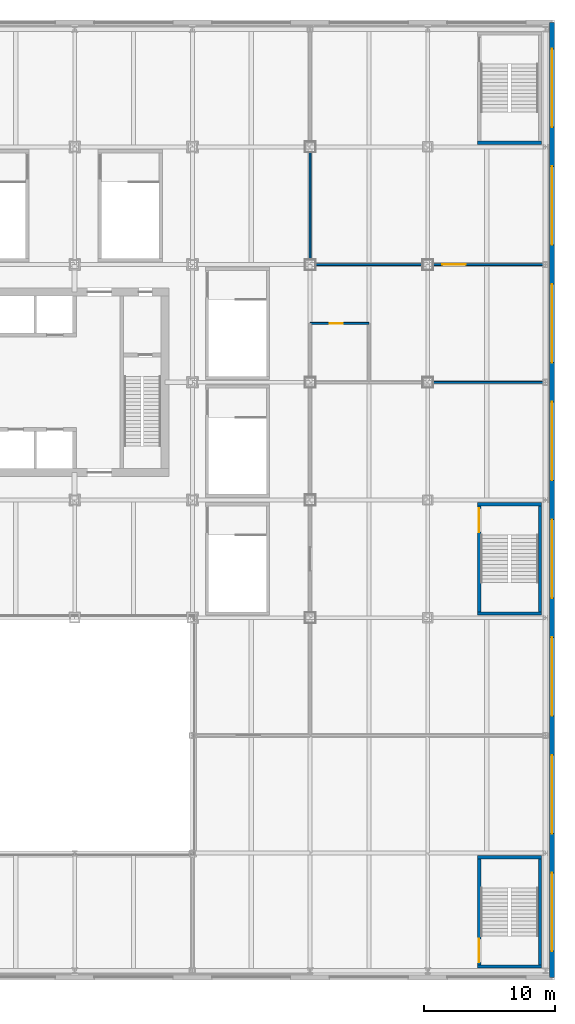
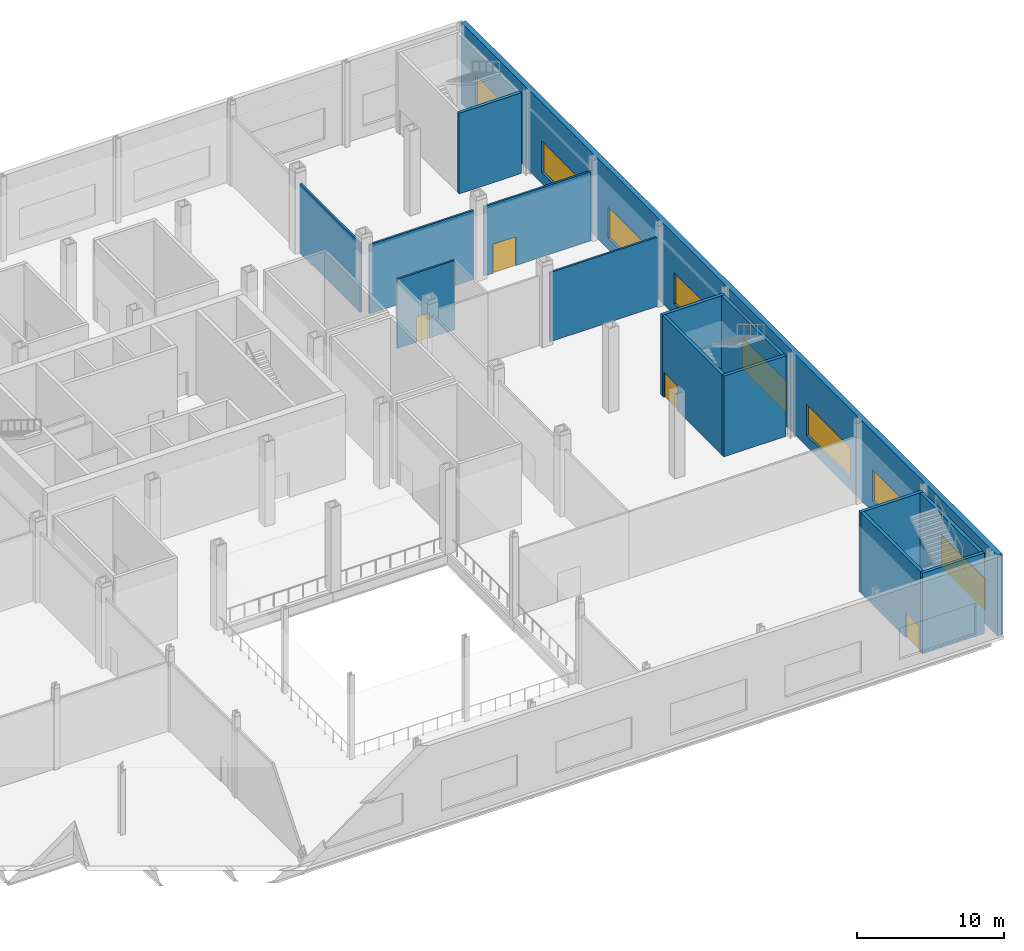
# One storey, part 14 of 32: 15 walls, 8 windows, 4 doors, 12 openings.
"""IFC4 building model written with IfcOpenShell, lengths in metres."""

from ifc_helpers import new_model, si_unit, direction, frame, frame_2d, origin, place, context, subcontext, project, spatial, rectangle, extrude, material, layer, layer_set, type_object, element, fill, save


model = new_model("IFC4")

# Units and contexts
model_context = context("Model", 3, precision=1e-05, world=origin(), true_north=direction((0.0, 1.0)))
body_context = subcontext(model_context, "Body", "Model", "MODEL_VIEW")
ifc_project = project(units=[si_unit("LENGTHUNIT", "METRE"), si_unit("AREAUNIT", "SQUARE_METRE"), si_unit("VOLUMEUNIT", "CUBIC_METRE"), si_unit("PLANEANGLEUNIT", "RADIAN"), si_unit("MASSUNIT", "GRAM", prefix="KILO")], contexts=[model_context])

# Site, building, storey
site_placement = place(None, origin())
site = spatial("IfcSite", under=ifc_project, at=site_placement, CompositionType="ELEMENT")
building_placement = place(site_placement, origin())
building = spatial("IfcBuilding", under=site, at=building_placement, Name="Loomwork Tower", CompositionType="ELEMENT")
storey_placement = place(building_placement, frame((0.0, 0.0, 16.0)))
storey = spatial("IfcBuildingStorey", under=building, at=storey_placement, Name="L03", CompositionType="ELEMENT", Elevation=16.0)

# Wall, opening, door
ifc_material_1 = material(Name="Gypsum board on steel studs, one-hour", Category="steel")
ifc_layer_1 = layer(ifc_material_1, 0.14990234375)
ifc_layer_set_1 = layer_set([ifc_layer_1], Name="Partition 150")
wall_type_1 = type_object("IfcWallType", Name="Partition 150", PredefinedType="PARTITIONING", material=ifc_layer_set_1)
wall_1_placement = place(storey_placement, frame((45.0, 22.5, 0.0), z_axis=(0.0, 0.0, 1.0), x_axis=(1.0, 0.0, 0.0)))
wall_1 = element("IfcWall", 1, at=wall_1_placement, inside=storey, type_object=wall_type_1, Name="Partition L03 18.1", PredefinedType="PARTITIONING", context=body_context, shape_type="SweptSolid", body=[
    extrude(rectangle(XDim=4.5, YDim=0.14990234375, at=frame_2d((2.25, 0.0))), origin(), (0.0, 0.0, 1.0), 5.751953125),
])
opening_1_placement = place(wall_1_placement, frame((1.5, 0.0, 0.0)))
opening_1 = element("IfcOpeningElement", 2, at=opening_1_placement, cuts=wall_1, Name="Opening D8", PredefinedType="OPENING", context=body_context, shape_type="SweptSolid", body=[
    extrude(rectangle(XDim=1.0, YDim=2.10009765625, at=frame_2d((0.5, 1.050048828125))), frame((0.0, 0.0849609375, 0.0), z_axis=(0.0, -1.0, 0.0), x_axis=(1.0, 0.0, 0.0)), (0.0, 0.0, 1.0), 0.169921875),
])
ifc_material_2 = material(Name="Hollow metal door and frame")
door_type_1 = type_object("IfcDoorType", Name="WC door 1000", OperationType="SINGLE_SWING_LEFT", PredefinedType="DOOR", material=ifc_material_2)
door_1_placement = place(opening_1_placement, frame((1.0, 0.0, 0.0), z_axis=(0.0, 0.0, 1.0), x_axis=(-1.0, 0.0, 0.0)))
door_1 = element("IfcDoor", 3, at=door_1_placement, inside=storey, type_object=door_type_1, Name="Accessible WC door", OperationType="SINGLE_SWING_RIGHT", OverallHeight=2.10009765625, OverallWidth=1.0, PredefinedType="DOOR", context=body_context, shape_type="SweptSolid", body=[
    extrude(rectangle(XDim=1.0, YDim=2.10009765625, at=frame_2d((0.5, 1.050048828125))), frame((0.0, 0.02490234375, 0.0), z_axis=(0.0, -1.0, 0.0), x_axis=(1.0, 0.0, 0.0)), (0.0, 0.0, 1.0), 0.050048828125),
])
fill(opening_1, door_1)

wall_2_placement = place(storey_placement, frame((62.81201171875, 27.0, 0.0), z_axis=(0.0, 0.0, 1.0), x_axis=(-1.0, 0.0, 0.0)))
wall_2 = element("IfcWall", 4, at=wall_2_placement, inside=storey, type_object=wall_type_1, Name="Partition L03 19.1", PredefinedType="PARTITIONING", context=body_context, shape_type="SweptSolid", body=[
    extrude(rectangle(XDim=8.412109375, YDim=0.14990234375, at=frame_2d((4.2060546875, 0.0))), origin(), (0.0, 0.0, 1.0), 5.752685546875),
])
opening_2_placement = place(wall_2_placement, frame((5.912109375, 0.0, 0.0)))
opening_2 = element("IfcOpeningElement", 5, at=opening_2_placement, cuts=wall_2, Name="Opening D16", PredefinedType="OPENING", context=body_context, shape_type="SweptSolid", body=[
    extrude(rectangle(XDim=1.800048828125, YDim=2.39990234375, at=frame_2d((0.89990234375, 1.199951171875))), frame((0.0, 0.0849609375, 0.0), z_axis=(0.0, -1.0, 0.0), x_axis=(1.0, 0.0, 0.0)), (0.0, 0.0, 1.0), 0.169921875),
])
ifc_material_3 = material(Name="Hollow metal door and frame")
door_type_2 = type_object("IfcDoorType", Name="Fire-rated double door 1800", OperationType="DOUBLE_DOOR_SINGLE_SWING", PredefinedType="DOOR", material=ifc_material_3)
door_2_placement = place(opening_2_placement, frame((1.800048828125, 0.0, 0.0), z_axis=(0.0, 0.0, 1.0), x_axis=(-1.0, 0.0, 0.0)))
door_2 = element("IfcDoor", 6, at=door_2_placement, inside=storey, type_object=door_type_2, Name="Kitchen plant room door", OperationType="DOUBLE_DOOR_SINGLE_SWING", OverallHeight=2.39990234375, OverallWidth=1.800048828125, PredefinedType="DOOR", context=body_context, shape_type="SweptSolid", body=[
    extrude(rectangle(XDim=1.800048828125, YDim=2.39990234375, at=frame_2d((0.89990234375, 1.199951171875))), frame((0.0, 0.02490234375, 0.0), z_axis=(0.0, -1.0, 0.0), x_axis=(1.0, 0.0, 0.0)), (0.0, 0.0, 1.0), 0.050048828125),
])
fill(opening_2, door_2)

# Walls
for number, where, z_axis, x_axis, name in (
    (7, (53.60009765625, 27.0, 0.0), (0.0, 0.0, 1.0), (-1.0, 0.0, 0.0), "Partition L03 19.2"),
    (8, (45.0, 27.39990234375, 0.0), (0.0, 0.0, 1.0), (0.0, 1.0, 0.0), "Partition L03 20.1"),
):
    element("IfcWall", number, at=place(storey_placement, frame(where, z_axis=z_axis, x_axis=x_axis)), inside=storey, type_object=wall_type_1, Name=name, PredefinedType="PARTITIONING", context=body_context, shape_type="SweptSolid", body=[
        extrude(rectangle(XDim=8.2001953125, YDim=0.14990234375, at=frame_2d((4.10009765625, 0.0))), origin(), (0.0, 0.0, 1.0), 5.752685546875),
    ])
wall_3_placement = place(storey_placement, frame((54.39990234375, 18.0, 0.0), z_axis=(0.0, 0.0, 1.0), x_axis=(1.0, 0.0, 0.0)))
element("IfcWall", 9, at=wall_3_placement, inside=storey, type_object=wall_type_1, Name="Partition L03 22.2", PredefinedType="PARTITIONING", context=body_context, shape_type="SweptSolid", body=[
    extrude(rectangle(XDim=8.412109375, YDim=0.14990234375, at=frame_2d((4.2060546875, 0.0))), origin(), (0.0, 0.0, 1.0), 5.752685546875),
])

# Wall, openings, windows
ifc_material_4 = material(Name="Limestone on concrete masonry", Category="masonry")
ifc_layer_2 = layer(ifc_material_4, 0.39990234375)
ifc_layer_set_2 = layer_set([ifc_layer_2], Name="Podium limestone wall 400")
wall_type_2 = type_object("IfcWallType", Name="Podium limestone wall 400", PredefinedType="SOLIDWALL", material=ifc_layer_set_2)
wall_4_placement = place(storey_placement, frame((63.5, -27.5, 0.0), z_axis=(0.0, 0.0, 1.0), x_axis=(0.0, 1.0, 0.0)))
wall_4 = element("IfcWall", 10, at=wall_4_placement, inside=storey, type_object=wall_type_2, Name="Podium stone wall E", PredefinedType="SOLIDWALL", context=body_context, shape_type="SweptSolid", body=[
    extrude(rectangle(XDim=73.0, YDim=0.39990234375, at=frame_2d((36.5, 0.0))), origin(), (0.0, 0.0, 1.0), 6.699951171875),
])
opening_3_placement = place(wall_4_placement, frame((2.0, 0.0, 0.89990234375)))
opening_3 = element("IfcOpeningElement", 11, at=opening_3_placement, cuts=wall_4, Name="Opening CH3", PredefinedType="OPENING", context=body_context, shape_type="SweptSolid", body=[
    extrude(rectangle(XDim=6.0, YDim=2.60009765625, at=frame_2d((3.0, 1.300048828125))), frame((0.0, 0.2099609375, 0.0), z_axis=(0.0, -1.0, 0.0), x_axis=(1.0, 0.0, 0.0)), (0.0, 0.0, 1.0), 0.419921875),
])
opening_4_placement = place(wall_4_placement, frame((11.0, 0.0, 0.89990234375)))
opening_4 = element("IfcOpeningElement", 12, at=opening_4_placement, cuts=wall_4, Name="Opening CH3", PredefinedType="OPENING", context=body_context, shape_type="SweptSolid", body=[
    extrude(rectangle(XDim=6.0, YDim=2.60009765625, at=frame_2d((3.0, 1.300048828125))), frame((0.0, 0.2099609375, 0.0), z_axis=(0.0, -1.0, 0.0), x_axis=(1.0, 0.0, 0.0)), (0.0, 0.0, 1.0), 0.419921875),
])
opening_5_placement = place(wall_4_placement, frame((20.0, 0.0, 0.89990234375)))
opening_5 = element("IfcOpeningElement", 13, at=opening_5_placement, cuts=wall_4, Name="Opening CH3", PredefinedType="OPENING", context=body_context, shape_type="SweptSolid", body=[
    extrude(rectangle(XDim=6.0, YDim=2.60009765625, at=frame_2d((3.0, 1.300048828125))), frame((0.0, 0.2099609375, 0.0), z_axis=(0.0, -1.0, 0.0), x_axis=(1.0, 0.0, 0.0)), (0.0, 0.0, 1.0), 0.419921875),
])
opening_6_placement = place(wall_4_placement, frame((29.0, 0.0, 0.89990234375)))
opening_6 = element("IfcOpeningElement", 14, at=opening_6_placement, cuts=wall_4, Name="Opening CH3", PredefinedType="OPENING", context=body_context, shape_type="SweptSolid", body=[
    extrude(rectangle(XDim=6.0, YDim=2.60009765625, at=frame_2d((3.0, 1.300048828125))), frame((0.0, 0.2099609375, 0.0), z_axis=(0.0, -1.0, 0.0), x_axis=(1.0, 0.0, 0.0)), (0.0, 0.0, 1.0), 0.419921875),
])
opening_7_placement = place(wall_4_placement, frame((38.0, 0.0, 0.89990234375)))
opening_7 = element("IfcOpeningElement", 15, at=opening_7_placement, cuts=wall_4, Name="Opening CH3", PredefinedType="OPENING", context=body_context, shape_type="SweptSolid", body=[
    extrude(rectangle(XDim=6.0, YDim=2.60009765625, at=frame_2d((3.0, 1.300048828125))), frame((0.0, 0.2099609375, 0.0), z_axis=(0.0, -1.0, 0.0), x_axis=(1.0, 0.0, 0.0)), (0.0, 0.0, 1.0), 0.419921875),
])
opening_8_placement = place(wall_4_placement, frame((47.0, 0.0, 0.89990234375)))
opening_8 = element("IfcOpeningElement", 16, at=opening_8_placement, cuts=wall_4, Name="Opening CH3", PredefinedType="OPENING", context=body_context, shape_type="SweptSolid", body=[
    extrude(rectangle(XDim=6.0, YDim=2.60009765625, at=frame_2d((3.0, 1.300048828125))), frame((0.0, 0.2099609375, 0.0), z_axis=(0.0, -1.0, 0.0), x_axis=(1.0, 0.0, 0.0)), (0.0, 0.0, 1.0), 0.419921875),
])
opening_9_placement = place(wall_4_placement, frame((56.0, 0.0, 0.89990234375)))
opening_9 = element("IfcOpeningElement", 17, at=opening_9_placement, cuts=wall_4, Name="Opening CH3", PredefinedType="OPENING", context=body_context, shape_type="SweptSolid", body=[
    extrude(rectangle(XDim=6.0, YDim=2.60009765625, at=frame_2d((3.0, 1.300048828125))), frame((0.0, 0.2099609375, 0.0), z_axis=(0.0, -1.0, 0.0), x_axis=(1.0, 0.0, 0.0)), (0.0, 0.0, 1.0), 0.419921875),
])
opening_10_placement = place(wall_4_placement, frame((65.0, 0.0, 0.89990234375)))
opening_10 = element("IfcOpeningElement", 18, at=opening_10_placement, cuts=wall_4, Name="Opening CH3", PredefinedType="OPENING", context=body_context, shape_type="SweptSolid", body=[
    extrude(rectangle(XDim=6.0, YDim=2.60009765625, at=frame_2d((3.0, 1.300048828125))), frame((0.0, 0.2099609375, 0.0), z_axis=(0.0, -1.0, 0.0), x_axis=(1.0, 0.0, 0.0)), (0.0, 0.0, 1.0), 0.419921875),
])
ifc_material_5 = material(Name="Aluminium frame with clear insulated glass", Category="aluminium")
window_type = type_object("IfcWindowType", Name="Podium Chicago window 6000", PartitioningType="TRIPLE_PANEL_VERTICAL", PredefinedType="WINDOW", material=ifc_material_5)
window_1_placement = place(opening_3_placement, origin())
window_1 = element("IfcWindow", 19, at=window_1_placement, inside=storey, type_object=window_type, Name="Podium window E bay 1", OverallHeight=2.60009765625, OverallWidth=6.0, PartitioningType="TRIPLE_PANEL_VERTICAL", PredefinedType="WINDOW", context=body_context, shape_type="SweptSolid", body=[
    extrude(rectangle(XDim=6.0, YDim=2.60009765625, at=frame_2d((3.0, 1.300048828125))), frame((0.0, 0.030029296875, 0.0), z_axis=(0.0, -1.0, 0.0), x_axis=(1.0, 0.0, 0.0)), (0.0, 0.0, 1.0), 0.06005859375),
])
fill(opening_3, window_1)
window_2_placement = place(opening_4_placement, origin())
window_2 = element("IfcWindow", 20, at=window_2_placement, inside=storey, type_object=window_type, Name="Podium window E bay 2", OverallHeight=2.60009765625, OverallWidth=6.0, PartitioningType="TRIPLE_PANEL_VERTICAL", PredefinedType="WINDOW", context=body_context, shape_type="SweptSolid", body=[
    extrude(rectangle(XDim=6.0, YDim=2.60009765625, at=frame_2d((3.0, 1.300048828125))), frame((0.0, 0.030029296875, 0.0), z_axis=(0.0, -1.0, 0.0), x_axis=(1.0, 0.0, 0.0)), (0.0, 0.0, 1.0), 0.06005859375),
])
fill(opening_4, window_2)
window_3_placement = place(opening_5_placement, origin())
window_3 = element("IfcWindow", 21, at=window_3_placement, inside=storey, type_object=window_type, Name="Podium window E bay 3", OverallHeight=2.60009765625, OverallWidth=6.0, PartitioningType="TRIPLE_PANEL_VERTICAL", PredefinedType="WINDOW", context=body_context, shape_type="SweptSolid", body=[
    extrude(rectangle(XDim=6.0, YDim=2.60009765625, at=frame_2d((3.0, 1.300048828125))), frame((0.0, 0.030029296875, 0.0), z_axis=(0.0, -1.0, 0.0), x_axis=(1.0, 0.0, 0.0)), (0.0, 0.0, 1.0), 0.06005859375),
])
fill(opening_5, window_3)
window_4_placement = place(opening_6_placement, origin())
window_4 = element("IfcWindow", 22, at=window_4_placement, inside=storey, type_object=window_type, Name="Podium window E bay 4", OverallHeight=2.60009765625, OverallWidth=6.0, PartitioningType="TRIPLE_PANEL_VERTICAL", PredefinedType="WINDOW", context=body_context, shape_type="SweptSolid", body=[
    extrude(rectangle(XDim=6.0, YDim=2.60009765625, at=frame_2d((3.0, 1.300048828125))), frame((0.0, 0.030029296875, 0.0), z_axis=(0.0, -1.0, 0.0), x_axis=(1.0, 0.0, 0.0)), (0.0, 0.0, 1.0), 0.06005859375),
])
fill(opening_6, window_4)
window_5_placement = place(opening_7_placement, origin())
window_5 = element("IfcWindow", 23, at=window_5_placement, inside=storey, type_object=window_type, Name="Podium window E bay 5", OverallHeight=2.60009765625, OverallWidth=6.0, PartitioningType="TRIPLE_PANEL_VERTICAL", PredefinedType="WINDOW", context=body_context, shape_type="SweptSolid", body=[
    extrude(rectangle(XDim=6.0, YDim=2.60009765625, at=frame_2d((3.0, 1.300048828125))), frame((0.0, 0.030029296875, 0.0), z_axis=(0.0, -1.0, 0.0), x_axis=(1.0, 0.0, 0.0)), (0.0, 0.0, 1.0), 0.06005859375),
])
fill(opening_7, window_5)
window_6_placement = place(opening_8_placement, origin())
window_6 = element("IfcWindow", 24, at=window_6_placement, inside=storey, type_object=window_type, Name="Podium window E bay 6", OverallHeight=2.60009765625, OverallWidth=6.0, PartitioningType="TRIPLE_PANEL_VERTICAL", PredefinedType="WINDOW", context=body_context, shape_type="SweptSolid", body=[
    extrude(rectangle(XDim=6.0, YDim=2.60009765625, at=frame_2d((3.0, 1.300048828125))), frame((0.0, 0.030029296875, 0.0), z_axis=(0.0, -1.0, 0.0), x_axis=(1.0, 0.0, 0.0)), (0.0, 0.0, 1.0), 0.06005859375),
])
fill(opening_8, window_6)
window_7_placement = place(opening_9_placement, origin())
window_7 = element("IfcWindow", 25, at=window_7_placement, inside=storey, type_object=window_type, Name="Podium window E bay 7", OverallHeight=2.60009765625, OverallWidth=6.0, PartitioningType="TRIPLE_PANEL_VERTICAL", PredefinedType="WINDOW", context=body_context, shape_type="SweptSolid", body=[
    extrude(rectangle(XDim=6.0, YDim=2.60009765625, at=frame_2d((3.0, 1.300048828125))), frame((0.0, 0.030029296875, 0.0), z_axis=(0.0, -1.0, 0.0), x_axis=(1.0, 0.0, 0.0)), (0.0, 0.0, 1.0), 0.06005859375),
])
fill(opening_9, window_7)
window_8_placement = place(opening_10_placement, origin())
window_8 = element("IfcWindow", 26, at=window_8_placement, inside=storey, type_object=window_type, Name="Podium window E bay 8", OverallHeight=2.60009765625, OverallWidth=6.0, PartitioningType="TRIPLE_PANEL_VERTICAL", PredefinedType="WINDOW", context=body_context, shape_type="SweptSolid", body=[
    extrude(rectangle(XDim=6.0, YDim=2.60009765625, at=frame_2d((3.0, 1.300048828125))), frame((0.0, 0.030029296875, 0.0), z_axis=(0.0, -1.0, 0.0), x_axis=(1.0, 0.0, 0.0)), (0.0, 0.0, 1.0), 0.06005859375),
])
fill(opening_10, window_8)

# Walls
ifc_material_6 = material(Name="Concrete masonry, two-hour", Category="masonry")
ifc_layer_3 = layer(ifc_material_6, 0.25)
ifc_layer_set_3 = layer_set([ifc_layer_3], Name="Stair enclosure wall 250")
wall_type_3 = type_object("IfcWallType", Name="Stair enclosure wall 250", PredefinedType="SOLIDWALL", material=ifc_layer_set_3)
for number, where, z_axis, x_axis, name in (
    (27, (57.800048828125, -26.675048828125, 0.0), (0.0, 0.0, 1.0), (1.0, 0.0, 0.0), "Stair PS2 enclosure wall S L03"),
    (28, (57.800048828125, -18.324951171875, 0.0), (0.0, 0.0, 1.0), (1.0, 0.0, 0.0), "Stair PS2 enclosure wall N L03"),
):
    element("IfcWall", number, at=place(storey_placement, frame(where, z_axis=z_axis, x_axis=x_axis)), inside=storey, type_object=wall_type_3, Name=name, PredefinedType="SOLIDWALL", context=body_context, shape_type="SweptSolid", body=[
        extrude(rectangle(XDim=4.89990234375, YDim=0.25, at=frame_2d((2.449951171875, 0.0))), origin(), (0.0, 0.0, 1.0), 6.699951171875),
    ])

# Wall, opening, door
wall_5_placement = place(storey_placement, frame((57.925048828125, -26.550048828125, 0.0), z_axis=(0.0, 0.0, 1.0), x_axis=(0.0, 1.0, 0.0)))
wall_5 = element("IfcWall", 29, at=wall_5_placement, inside=storey, type_object=wall_type_3, Name="Stair PS2 enclosure wall W L03", PredefinedType="SOLIDWALL", context=body_context, shape_type="SweptSolid", body=[
    extrude(rectangle(XDim=8.10009765625, YDim=0.25, at=frame_2d((4.050048828125, 0.0))), origin(), (0.0, 0.0, 1.0), 6.699951171875),
])
opening_11_placement = place(wall_5_placement, frame((0.199951171875, 0.0, 0.0)))
opening_11 = element("IfcOpeningElement", 30, at=opening_11_placement, cuts=wall_5, Name="Opening D14", PredefinedType="OPENING", context=body_context, shape_type="SweptSolid", body=[
    extrude(rectangle(XDim=1.800048828125, YDim=2.10009765625, at=frame_2d((0.89990234375, 1.050048828125))), frame((0.0, 0.135009765625, 0.0), z_axis=(0.0, -1.0, 0.0), x_axis=(1.0, 0.0, 0.0)), (0.0, 0.0, 1.0), 0.27001953125),
])
ifc_material_7 = material(Name="Hollow metal door and frame")
door_type_3 = type_object("IfcDoorType", Name="Stair double door 1800", OperationType="DOUBLE_DOOR_SINGLE_SWING", PredefinedType="DOOR", material=ifc_material_7)
door_3_placement = place(opening_11_placement, frame((1.800048828125, 0.0, 0.0), z_axis=(0.0, 0.0, 1.0), x_axis=(-1.0, 0.0, 0.0)))
door_3 = element("IfcDoor", 31, at=door_3_placement, inside=storey, type_object=door_type_3, Name="Stair PS2 door L03", OperationType="DOUBLE_DOOR_SINGLE_SWING", OverallHeight=2.10009765625, OverallWidth=1.800048828125, PredefinedType="DOOR", context=body_context, shape_type="SweptSolid", body=[
    extrude(rectangle(XDim=1.800048828125, YDim=2.10009765625, at=frame_2d((0.89990234375, 1.050048828125))), frame((0.0, 0.02490234375, 0.0), z_axis=(0.0, -1.0, 0.0), x_axis=(1.0, 0.0, 0.0)), (0.0, 0.0, 1.0), 0.050048828125),
])
fill(opening_11, door_3)

# Walls
wall_6_placement = place(storey_placement, frame((62.574951171875, -26.550048828125, 0.0), z_axis=(0.0, 0.0, 1.0), x_axis=(0.0, 1.0, 0.0)))
element("IfcWall", 32, at=wall_6_placement, inside=storey, type_object=wall_type_3, Name="Stair PS2 enclosure wall E L03", PredefinedType="SOLIDWALL", context=body_context, shape_type="SweptSolid", body=[
    extrude(rectangle(XDim=8.10009765625, YDim=0.25, at=frame_2d((4.050048828125, 0.0))), origin(), (0.0, 0.0, 1.0), 6.699951171875),
])
for number, where, z_axis, x_axis, name in (
    (33, (57.800048828125, 36.324951171875, 0.0), (0.0, 0.0, 1.0), (1.0, 0.0, 0.0), "Stair PS4 enclosure wall S L03"),
    (34, (57.800048828125, 0.324951171875, 0.0), (0.0, 0.0, 1.0), (1.0, 0.0, 0.0), "Stair PS6 enclosure wall S L03"),
    (35, (57.800048828125, 8.675048828125, 0.0), (0.0, 0.0, 1.0), (1.0, 0.0, 0.0), "Stair PS6 enclosure wall N L03"),
):
    element("IfcWall", number, at=place(storey_placement, frame(where, z_axis=z_axis, x_axis=x_axis)), inside=storey, type_object=wall_type_3, Name=name, PredefinedType="SOLIDWALL", context=body_context, shape_type="SweptSolid", body=[
        extrude(rectangle(XDim=4.89990234375, YDim=0.25, at=frame_2d((2.449951171875, 0.0))), origin(), (0.0, 0.0, 1.0), 6.699951171875),
    ])

# Wall, opening, door
wall_7_placement = place(storey_placement, frame((57.925048828125, 0.449951171875, 0.0), z_axis=(0.0, 0.0, 1.0), x_axis=(0.0, 1.0, 0.0)))
wall_7 = element("IfcWall", 36, at=wall_7_placement, inside=storey, type_object=wall_type_3, Name="Stair PS6 enclosure wall W L03", PredefinedType="SOLIDWALL", context=body_context, shape_type="SweptSolid", body=[
    extrude(rectangle(XDim=8.10009765625, YDim=0.25, at=frame_2d((4.050048828125, 0.0))), origin(), (0.0, 0.0, 1.0), 6.699951171875),
])
opening_12_placement = place(wall_7_placement, frame((6.10009765625, 0.0, 0.0)))
opening_12 = element("IfcOpeningElement", 37, at=opening_12_placement, cuts=wall_7, Name="Opening D14", PredefinedType="OPENING", context=body_context, shape_type="SweptSolid", body=[
    extrude(rectangle(XDim=1.800048828125, YDim=2.10009765625, at=frame_2d((0.89990234375, 1.050048828125))), frame((0.0, 0.135009765625, 0.0), z_axis=(0.0, -1.0, 0.0), x_axis=(1.0, 0.0, 0.0)), (0.0, 0.0, 1.0), 0.27001953125),
])
door_4_placement = place(opening_12_placement, frame((1.800048828125, 0.0, 0.0), z_axis=(0.0, 0.0, 1.0), x_axis=(-1.0, 0.0, 0.0)))
door_4 = element("IfcDoor", 38, at=door_4_placement, inside=storey, type_object=door_type_3, Name="Stair PS6 door L03", OperationType="DOUBLE_DOOR_SINGLE_SWING", OverallHeight=2.10009765625, OverallWidth=1.800048828125, PredefinedType="DOOR", context=body_context, shape_type="SweptSolid", body=[
    extrude(rectangle(XDim=1.800048828125, YDim=2.10009765625, at=frame_2d((0.89990234375, 1.050048828125))), frame((0.0, 0.02490234375, 0.0), z_axis=(0.0, -1.0, 0.0), x_axis=(1.0, 0.0, 0.0)), (0.0, 0.0, 1.0), 0.050048828125),
])
fill(opening_12, door_4)

# Wall
wall_8_placement = place(storey_placement, frame((62.574951171875, 0.449951171875, 0.0), z_axis=(0.0, 0.0, 1.0), x_axis=(0.0, 1.0, 0.0)))
element("IfcWall", 39, at=wall_8_placement, inside=storey, type_object=wall_type_3, Name="Stair PS6 enclosure wall E L03", PredefinedType="SOLIDWALL", context=body_context, shape_type="SweptSolid", body=[
    extrude(rectangle(XDim=8.10009765625, YDim=0.25, at=frame_2d((4.050048828125, 0.0))), origin(), (0.0, 0.0, 1.0), 6.699951171875),
])

save(model, "model.ifc")
